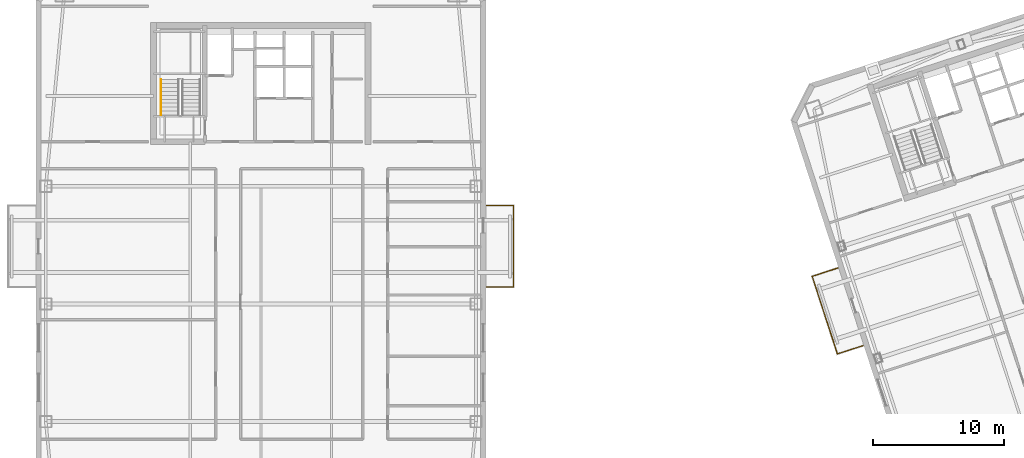
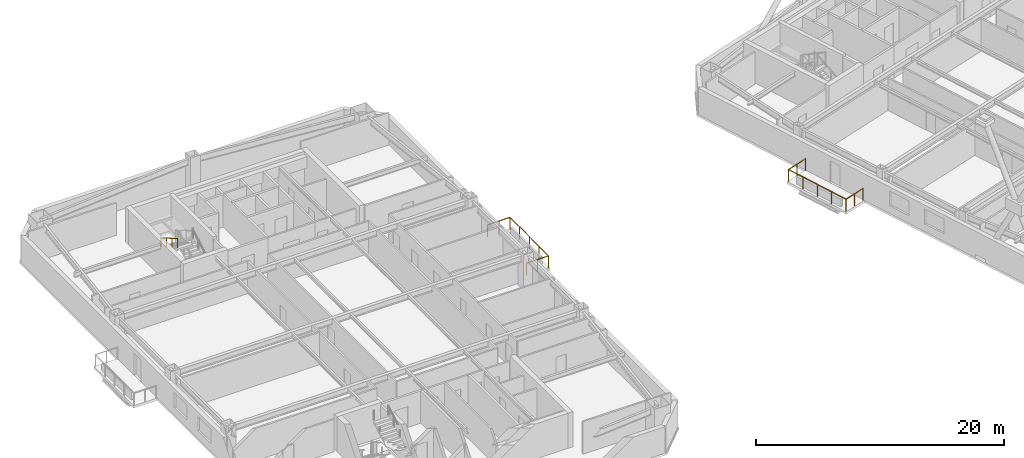
# One storey, part 14 of 16: 3 railings.
"""IFC4 building model written with IfcOpenShell, lengths in metres."""

from ifc_helpers import new_model, si_unit, direction, frame, origin, origin_2d, place, context, subcontext, project, spatial, circle, extrude, material, type_object, element, save


model = new_model("IFC4")

# Units and contexts
model_context = context("Model", 3, precision=1e-05, world=origin(), true_north=direction((0.0, 1.0)))
body_context = subcontext(model_context, "Body", "Model", "MODEL_VIEW")
ifc_project = project(units=[si_unit("LENGTHUNIT", "METRE"), si_unit("AREAUNIT", "SQUARE_METRE"), si_unit("VOLUMEUNIT", "CUBIC_METRE"), si_unit("PLANEANGLEUNIT", "RADIAN"), si_unit("MASSUNIT", "GRAM", prefix="KILO")], contexts=[model_context])

# Site, building, storey
site_placement = place(None, origin())
site = spatial("IfcSite", under=ifc_project, at=site_placement, CompositionType="ELEMENT")
building_placement = place(site_placement, origin())
building = spatial("IfcBuilding", under=site, at=building_placement, Name="Qiaolan Cultural Towers", CompositionType="ELEMENT")
storey_placement = place(building_placement, frame((0.0, 0.0, 198.949951171875)))
storey = spatial("IfcBuildingStorey", under=building, at=storey_placement, Name="L53", CompositionType="ELEMENT", Elevation=198.949951171875)

# Railings
ifc_material_1 = material(Name="Laminated SentryGlas & Stainless Steel S31608 Balustrade", Category="steel")
railing_type_1 = type_object("IfcRailingType", Name="GRD-TERR-1200", PredefinedType="BALUSTRADE", material=ifc_material_1)
railing_1_placement = place(storey_placement, frame((47.25, 35.280029296875, 0.0)))
element("IfcRailing", 1, at=railing_1_placement, inside=storey, type_object=railing_type_1, Name="L53 T1 Tree Balcony Guardrail E", PredefinedType="BALUSTRADE", context=body_context, shape_type="SweptSolid", body=[
    extrude(circle(Radius=0.02392578125, at=origin_2d()), frame((0.0, 0.0, 1.17578125), z_axis=(1.0, 0.0, 0.0), x_axis=(0.0, 1.0, 0.0)), (0.0, 0.0, 1.0), 2.070068359375),
    extrude(circle(Radius=0.02392578125, at=origin_2d()), frame((2.070068359375, 0.0, 1.17578125), z_axis=(0.0, 1.0, 0.0), x_axis=(-1.0, 0.0, 0.0)), (0.0, 0.0, 1.0), 6.239990234375),
    extrude(circle(Radius=0.02392578125, at=origin_2d()), frame((2.070068359375, 6.239990234375, 1.17578125), z_axis=(-1.0, 0.0, 0.0), x_axis=(0.0, -1.0, 0.0)), (0.0, 0.0, 1.0), 2.070068359375),
    extrude(circle(Radius=0.02099609375, at=origin_2d()), origin(), (0.0, 0.0, 1.0), 1.15185546875),
    extrude(circle(Radius=0.02099609375, at=origin_2d()), frame((1.03515625, 0.0, 0.0)), (0.0, 0.0, 1.0), 1.15185546875),
    extrude(circle(Radius=0.02099609375, at=origin_2d()), frame((2.070068359375, 0.0, 0.0)), (0.0, 0.0, 1.0), 1.15185546875),
    extrude(circle(Radius=0.02099609375, at=origin_2d()), frame((2.070068359375, 1.56005859375, 0.0)), (0.0, 0.0, 1.0), 1.15185546875),
    extrude(circle(Radius=0.02099609375, at=origin_2d()), frame((2.070068359375, 3.1201171875, 0.0)), (0.0, 0.0, 1.0), 1.15185546875),
    extrude(circle(Radius=0.02099609375, at=origin_2d()), frame((2.070068359375, 4.679931640625, 0.0)), (0.0, 0.0, 1.0), 1.15185546875),
    extrude(circle(Radius=0.02099609375, at=origin_2d()), frame((2.070068359375, 6.239990234375, 0.0)), (0.0, 0.0, 1.0), 1.15185546875),
    extrude(circle(Radius=0.02099609375, at=origin_2d()), frame((1.03515625, 6.239990234375, 0.0)), (0.0, 0.0, 1.0), 1.15185546875),
    extrude(circle(Radius=0.02099609375, at=origin_2d()), frame((0.0, 6.239990234375, 0.0)), (0.0, 0.0, 1.0), 1.15185546875),
])
railing_2_placement = place(storey_placement, frame((76.052001953125, 30.81396484375, 0.0)))
element("IfcRailing", 2, at=railing_2_placement, inside=storey, type_object=railing_type_1, Name="L53 T2 Tree Balcony Guardrail W", PredefinedType="BALUSTRADE", context=body_context, shape_type="SweptSolid", body=[
    extrude(circle(Radius=0.02392578125, at=origin_2d()), frame((0.0, 0.0, 1.17578125), z_axis=(-0.951061799618, -0.309000733507, 0.0), x_axis=(0.309000733507, -0.951061799618, 0.0)), (0.0, 0.0, 1.0), 2.070068359375),
    extrude(circle(Radius=0.02392578125, at=origin_2d()), frame((-1.96875, -0.6396484375, 1.17578125), z_axis=(-0.30901175762, 0.951058217804, 0.0), x_axis=(-0.951058217804, -0.30901175762, 0.0)), (0.0, 0.0, 1.0), 6.239990234375),
    extrude(circle(Radius=0.02392578125, at=origin_2d()), frame((-3.89697265625, 5.294921875, 1.17578125), z_axis=(0.951050536716, 0.309035397023, 0.0), x_axis=(-0.309035397023, 0.951050536716, 0.0)), (0.0, 0.0, 1.0), 2.06982421875),
    extrude(circle(Radius=0.02099609375, at=origin_2d()), origin(), (0.0, 0.0, 1.0), 1.15185546875),
    extrude(circle(Radius=0.02099609375, at=origin_2d()), frame((-0.984375, -0.31982421875, 0.0)), (0.0, 0.0, 1.0), 1.15185546875),
    extrude(circle(Radius=0.02099609375, at=origin_2d()), frame((-1.96875, -0.6396484375, 0.0)), (0.0, 0.0, 1.0), 1.15185546875),
    extrude(circle(Radius=0.02099609375, at=origin_2d()), frame((-2.45068359375, 0.843994140625, 0.0)), (0.0, 0.0, 1.0), 1.15185546875),
    extrude(circle(Radius=0.02099609375, at=origin_2d()), frame((-2.932861328125, 2.32763671875, 0.0)), (0.0, 0.0, 1.0), 1.15185546875),
    extrude(circle(Radius=0.02099609375, at=origin_2d()), frame((-3.4150390625, 3.811279296875, 0.0)), (0.0, 0.0, 1.0), 1.15185546875),
    extrude(circle(Radius=0.02099609375, at=origin_2d()), frame((-3.89697265625, 5.294921875, 0.0)), (0.0, 0.0, 1.0), 1.15185546875),
    extrude(circle(Radius=0.02099609375, at=origin_2d()), frame((-2.91259765625, 5.61474609375, 0.0)), (0.0, 0.0, 1.0), 1.15185546875),
    extrude(circle(Radius=0.02099609375, at=origin_2d()), frame((-1.928466796875, 5.9345703125, 0.0)), (0.0, 0.0, 1.0), 1.15185546875),
])
ifc_material_2 = material(Name="Stainless Steel S30408 Tubular Handrail", Category="steel")
railing_type_2 = type_object("IfcRailingType", Name="RL-STAIR-HR", PredefinedType="HANDRAIL", material=ifc_material_2)
railing_3_placement = place(storey_placement, frame((22.35009765625, 51.14990234375, 1.8974609375)))
element("IfcRailing", 3, at=railing_3_placement, inside=storey, type_object=railing_type_2, Name="L53 ST-W2 stair handrail 2", PredefinedType="HANDRAIL", context=body_context, shape_type="SweptSolid", body=[
    extrude(circle(Radius=0.02392578125, at=origin_2d()), frame((0.0, 0.0, 0.8759765625), z_axis=(0.0, -0.866903762492, 0.498475542607), x_axis=(1.0, 0.0, 0.0)), (0.0, 0.0, 1.0), 3.114501953125),
    extrude(circle(Radius=0.02099609375, at=origin_2d()), origin(), (0.0, 0.0, 1.0), 0.851806640625),
    extrude(circle(Radius=0.02099609375, at=origin_2d()), frame((0.0, -0.89990234375, 0.517578125)), (0.0, 0.0, 1.0), 0.851806640625),
    extrude(circle(Radius=0.02099609375, at=origin_2d()), frame((0.0, -1.800048828125, 1.034912109375)), (0.0, 0.0, 1.0), 0.851806640625),
    extrude(circle(Radius=0.02099609375, at=origin_2d()), frame((0.0, -2.699951171875, 1.552490234375)), (0.0, 0.0, 1.0), 0.851806640625),
])

save(model, "model.ifc")
